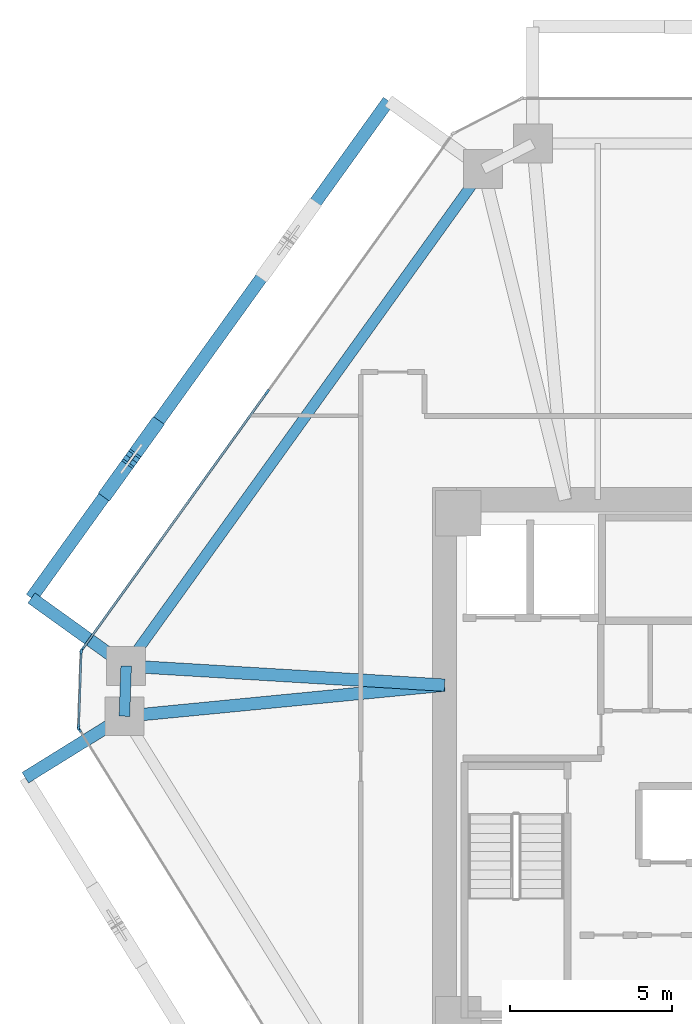
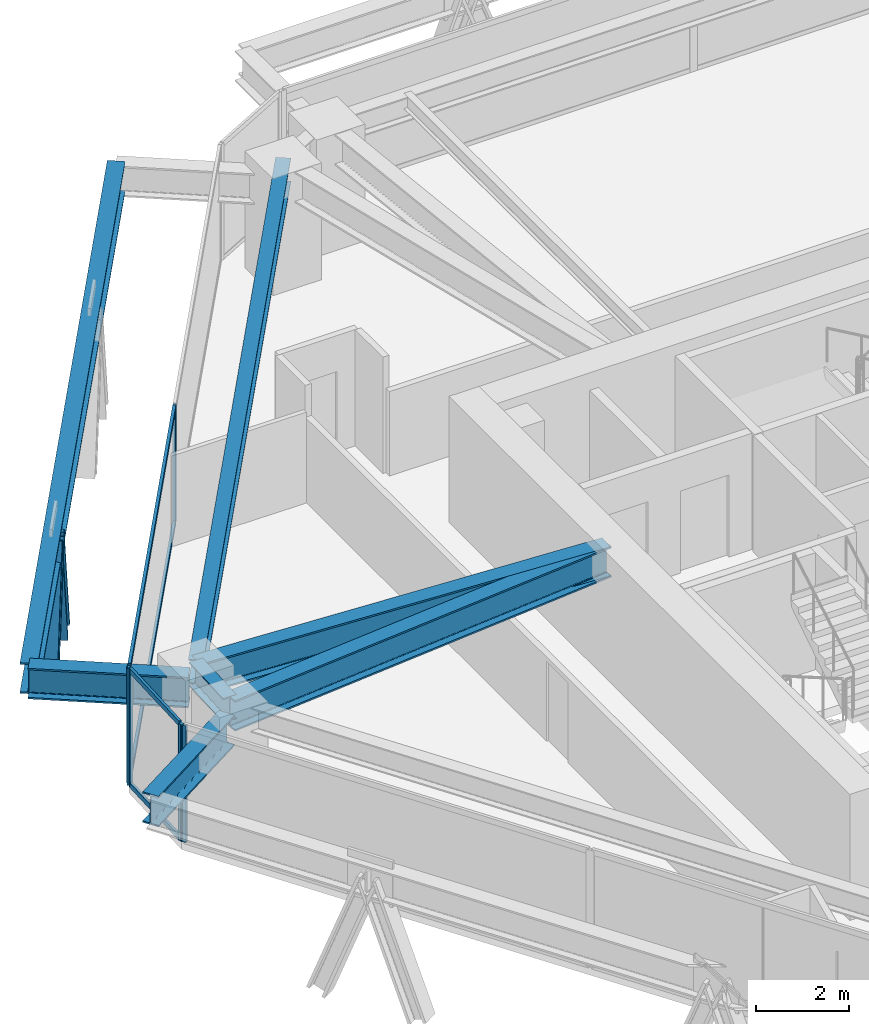
# One storey, part 4 of 15: 11 members, 7 beams, 3 elements without a shape of their own.
"""IFC4 building model written with IfcOpenShell, lengths in metres."""

from ifc_helpers import new_model, si_unit, direction, frame, origin, origin_2d, place, context, subcontext, project, spatial, rectangle, i_section, extrude, source, transform, mapped, material, layer, layer_set, material_profile, profile_set, type_object, type_shapes, element, aggregate, save


model = new_model("IFC4")

# Units and contexts
model_context = context("Model", 3, precision=1e-05, world=origin(), true_north=direction((0.0, 1.0)))
body_context = subcontext(model_context, "Body", "Model", "MODEL_VIEW")
ifc_project = project(units=[si_unit("LENGTHUNIT", "METRE"), si_unit("AREAUNIT", "SQUARE_METRE"), si_unit("VOLUMEUNIT", "CUBIC_METRE"), si_unit("PLANEANGLEUNIT", "RADIAN"), si_unit("MASSUNIT", "GRAM", prefix="KILO")], contexts=[model_context])

# Site, building, storey
site_placement = place(None, origin())
site = spatial("IfcSite", under=ifc_project, at=site_placement, CompositionType="ELEMENT")
building_placement = place(site_placement, origin())
building = spatial("IfcBuilding", under=site, at=building_placement, Name="Durnholm Broadcast Tower", CompositionType="ELEMENT")
storey_placement = place(building_placement, frame((0.0, 0.0, 97.5)))
storey = spatial("IfcBuildingStorey", under=building, at=storey_placement, Name="L25", CompositionType="ELEMENT", Elevation=97.5)

# Beams
ifc_material_1 = material(Name="Steel ASTM A992 Grade 50", Category="steel")
ifc_material_profile_1 = material_profile(ifc_material_1, i_section(OverallWidth=0.385009765625, OverallDepth=0.802978515625, WebThickness=0.023681640625, FlangeThickness=0.0419921875, FilletRadius=0.032958984375, at=origin_2d()), Name="W30X261")
ifc_profile_set_1 = profile_set([ifc_material_profile_1], Name="Steel ASTM A992 Grade 50")
beam_type_1 = type_object("IfcBeamType", Name="BM-EXO-TIE", PredefinedType="USERDEFINED", material=ifc_profile_set_1)
shared_shape_1 = source(origin(), body_context, "Body", "SweptSolid", [
    extrude(i_section(OverallWidth=0.385009765625, OverallDepth=0.802978515625, WebThickness=0.023681640625, FlangeThickness=0.0419921875, FilletRadius=0.032958984375, at=origin_2d()), origin(), (0.0, 0.0, 1.0), 3.4560546875),
])
for number, where, z_axis, x_axis, name in (
    (1, (-20.1669921875, 3.175048828125, 2.30859375), (-0.812164951739, 0.583427880005, 0.0), (-0.583427880005, -0.812164951739, 0.0), "L25 exoskeleton stand-off tie bracket F5.2"),
    (2, (-20.22509765625, 1.465576171875, 2.30859375), (-0.849795112316, -0.527113144481, 0.0), (0.527113144481, -0.849795112316, 0.0), "L25 exoskeleton stand-off tie bracket F6.1"),
):
    element("IfcBeam", number, at=place(storey_placement, frame(where, z_axis=z_axis, x_axis=x_axis)), inside=storey, type_object=beam_type_1, Name=name, ObjectType="GIRDER", PredefinedType="USERDEFINED", context=body_context, shape_type="MappedRepresentation", body=[
        mapped(shared_shape_1, transform((0.0, 0.0, 0.0), x_axis=(1.0, 0.0, 0.0), y_axis=(0.0, 1.0, 0.0), z_axis=(0.0, 0.0, 1.0), scale=1.0)),
    ])
ifc_material_profile_2 = material_profile(ifc_material_1, i_section(OverallWidth=0.3291015625, OverallDepth=0.635009765625, WebThickness=0.017822265625, FlangeThickness=0.031005859375, FilletRadius=0.02783203125, at=origin_2d()), Name="W24X162")
ifc_profile_set_2 = profile_set([ifc_material_profile_2], Name="Steel ASTM A992 Grade 50")
beam_type_2 = type_object("IfcBeamType", Name="STL-SP-W24X162", PredefinedType="SPANDREL", material=ifc_profile_set_2)
shared_shape_2 = source(origin(), body_context, "Body", "SweptSolid", [
    extrude(i_section(OverallWidth=0.3291015625, OverallDepth=0.635009765625, WebThickness=0.017822265625, FlangeThickness=0.031005859375, FilletRadius=0.02783203125, at=origin_2d()), origin(), (0.0, 0.0, 1.0), 1.550537109375),
])
beam_1_placement = place(storey_placement, frame((-20.102783203125, 1.54150390625, 2.7275390625), z_axis=(0.034012135923, 0.999421419928, 0.0), x_axis=(-0.999421419928, 0.034012135923, 0.0)))
element("IfcBeam", 3, at=beam_1_placement, inside=storey, type_object=beam_type_2, Name="L25 perimeter spandrel girder 02", PredefinedType="SPANDREL", context=body_context, shape_type="MappedRepresentation", body=[
    mapped(shared_shape_2, transform((0.0, 0.0, 0.0), x_axis=(1.0, 0.0, 0.0), y_axis=(0.0, 1.0, 0.0), z_axis=(0.0, 0.0, 1.0), scale=1.0)),
])
shared_shape_3 = source(origin(), body_context, "Body", "SweptSolid", [
    extrude(i_section(OverallWidth=0.3291015625, OverallDepth=0.635009765625, WebThickness=0.017822265625, FlangeThickness=0.031005859375, FilletRadius=0.02783203125, at=origin_2d()), origin(), (0.0, 0.0, 1.0), 18.884521484375),
])
type_shapes(beam_type_2, [shared_shape_2, shared_shape_3])
beam_2_placement = place(storey_placement, frame((-20.050048828125, 3.091064453125, 2.7275390625), z_axis=(0.583443434414, 0.812153777827, 0.0), x_axis=(-0.812153777827, 0.583443434414, 0.0)))
element("IfcBeam", 4, at=beam_2_placement, inside=storey, type_object=beam_type_2, Name="L25 perimeter spandrel girder 03", PredefinedType="SPANDREL", context=body_context, shape_type="MappedRepresentation", body=[
    mapped(shared_shape_3, transform((0.0, 0.0, 0.0), x_axis=(1.0, 0.0, 0.0), y_axis=(0.0, 1.0, 0.0), z_axis=(0.0, 0.0, 1.0), scale=1.0)),
])
ifc_material_profile_3 = material_profile(ifc_material_1, i_section(OverallWidth=0.385009765625, OverallDepth=0.802978515625, WebThickness=0.023681640625, FlangeThickness=0.0419921875, FilletRadius=0.032958984375, at=origin_2d()), Name="W30X261")
ifc_profile_set_3 = profile_set([ifc_material_profile_3], Name="Steel ASTM A992 Grade 50")
beam_type_3 = type_object("IfcBeamType", Name="STL-GR-W30X261", PredefinedType="USERDEFINED", material=ifc_profile_set_3)
shared_shape_4 = source(origin(), body_context, "Body", "SweptSolid", [
    extrude(i_section(OverallWidth=0.385009765625, OverallDepth=0.802978515625, WebThickness=0.023681640625, FlangeThickness=0.0419921875, FilletRadius=0.032958984375, at=origin_2d()), origin(), (0.0, 0.0, 1.0), 9.924072265625),
])
beam_3_placement = place(storey_placement, frame((-10.22509765625, 2.5, 2.6435546875), z_axis=(-0.995324947968, -0.096582855378, 0.0), x_axis=(0.096582855378, -0.995324947968, 0.0)))
element("IfcBeam", 5, at=beam_3_placement, inside=storey, type_object=beam_type_3, Name="L25 radial primary floor girder 02", ObjectType="GIRDER", PredefinedType="USERDEFINED", context=body_context, shape_type="MappedRepresentation", body=[
    mapped(shared_shape_4, transform((0.0, 0.0, 0.0), x_axis=(1.0, 0.0, 0.0), y_axis=(0.0, 1.0, 0.0), z_axis=(0.0, 0.0, 1.0), scale=1.0)),
])
shared_shape_5 = source(origin(), body_context, "Body", "SweptSolid", [
    extrude(i_section(OverallWidth=0.385009765625, OverallDepth=0.802978515625, WebThickness=0.023681640625, FlangeThickness=0.0419921875, FilletRadius=0.032958984375, at=origin_2d()), origin(), (0.0, 0.0, 1.0), 9.8427734375),
])
type_shapes(beam_type_3, [shared_shape_4, shared_shape_5])
beam_4_placement = place(storey_placement, frame((-10.22509765625, 2.5, 2.6435546875), z_axis=(-0.998195312551, 0.0600509617, 0.0), x_axis=(-0.0600509617, -0.998195312551, 0.0)))
element("IfcBeam", 6, at=beam_4_placement, inside=storey, type_object=beam_type_3, Name="L25 radial primary floor girder 03", ObjectType="GIRDER", PredefinedType="USERDEFINED", context=body_context, shape_type="MappedRepresentation", body=[
    mapped(shared_shape_5, transform((0.0, 0.0, 0.0), x_axis=(1.0, 0.0, 0.0), y_axis=(0.0, 1.0, 0.0), z_axis=(0.0, 0.0, 1.0), scale=1.0)),
])
shared_shape_6 = source(origin(), body_context, "Body", "SweptSolid", [
    extrude(i_section(OverallWidth=0.385009765625, OverallDepth=0.802978515625, WebThickness=0.023681640625, FlangeThickness=0.0419921875, FilletRadius=0.032958984375, at=origin_2d()), origin(), (0.0, 0.0, 1.0), 18.884765625),
])
type_shapes(beam_type_1, [shared_shape_1, shared_shape_6])
beam_5_placement = place(storey_placement, frame((-11.955810546875, 20.52880859375, 2.30859375), z_axis=(-0.583437308554, -0.812158178551, 0.0), x_axis=(0.812158178551, -0.583437308554, 0.0)))
element("IfcBeam", 7, at=beam_5_placement, inside=storey, type_object=beam_type_1, Name="L25 exoskeleton collector spandrel F5", PredefinedType="SPANDREL", context=body_context, shape_type="MappedRepresentation", body=[
    mapped(shared_shape_6, transform((0.0, 0.0, 0.0), x_axis=(1.0, 0.0, 0.0), y_axis=(0.0, 1.0, 0.0), z_axis=(0.0, 0.0, 1.0), scale=1.0)),
])

# Members
ifc_material_2 = material(Name="Steel ASTM A913 Grade 65", Category="steel")
ifc_material_profile_4 = material_profile(ifc_material_2, i_section(OverallWidth=0.424072265625, OverallDepth=0.47412109375, WebThickness=0.047607421875, FlangeThickness=0.0771484375, FilletRadius=0.030517578125, at=origin_2d()), Name="W14X426")
ifc_profile_set_4 = profile_set([ifc_material_profile_4], Name="Steel ASTM A913 Grade 65")
member_type_1 = type_object("IfcMemberType", Name="STL-DG-W14X426", PredefinedType="BRACE", material=ifc_profile_set_4)
shared_shape_7 = source(origin(), body_context, "Body", "SweptSolid", [
    extrude(i_section(OverallWidth=0.424072265625, OverallDepth=0.47412109375, WebThickness=0.047607421875, FlangeThickness=0.0771484375, FilletRadius=0.030517578125, at=origin_2d()), origin(), (0.0, 0.0, 1.0), 3.523193359375),
])
type_shapes(member_type_1, [shared_shape_7])
for number, where, z_axis, x_axis, name in (
    (8, (-19.1689453125, 10.488037109375, -0.991455078125), (-0.204350195342, -0.284454917557, 0.936657033039), (0.812153063014, -0.583444429434, 0.0), "L25 stand-off diagrid brace F5.D2.1"),
    (9, (-20.608642578125, 8.48388671875, -0.991455078125), (0.204287819296, 0.284395254542, 0.936688756248), (-0.812179469647, 0.583407669717, 0.0), "L25 stand-off diagrid brace F5.D2.2"),
):
    element("IfcMember", number, at=place(storey_placement, frame(where, z_axis=z_axis, x_axis=x_axis)), inside=storey, type_object=member_type_1, Name=name, PredefinedType="BRACE", context=body_context, shape_type="MappedRepresentation", body=[
        mapped(shared_shape_7, transform((0.0, 0.0, 0.0), x_axis=(1.0, 0.0, 0.0), y_axis=(0.0, 1.0, 0.0), z_axis=(0.0, 0.0, 1.0), scale=1.0)),
    ])

# Curtain wall, members
ifc_material_3 = material(Name="Aluminium and Solar Control IGU", Category="aluminium")
ifc_layer_1 = layer(ifc_material_3, 0.1650390625)
ifc_layer_set_1 = layer_set([ifc_layer_1], Name="Aluminium and Solar Control IGU")
curtain_wall_type_1 = type_object("IfcCurtainWallType", Name="CW-SYS-5", PredefinedType="NOTDEFINED", material=ifc_layer_set_1)
curtain_wall_1_placement = place(storey_placement, origin())
curtain_wall_1 = element("IfcCurtainWall", 10, at=curtain_wall_1_placement, inside=storey, type_object=curtain_wall_type_1, Name="L25 curtain wall CW-CORNER CW-L25-CRN-01", PredefinedType="NOTDEFINED")
ifc_material_4 = material(Name="Aluminium 6063-T6", Category="aluminium")
ifc_material_profile_5 = material_profile(ifc_material_4, rectangle(XDim=0.06494140625, YDim=0.1650390625, at=origin_2d()), Name="CWM65X165")
ifc_profile_set_5 = profile_set([ifc_material_profile_5], Name="Aluminium 6063-T6")
member_type_2 = type_object("IfcMemberType", Name="CW-SYS-5-MUL", PredefinedType="MULLION", material=ifc_profile_set_5)
shared_shape_8 = source(origin(), body_context, "Body", "SweptSolid", [
    extrude(rectangle(XDim=0.06494140625, YDim=0.1650390625, at=origin_2d()), origin(), (0.0, 0.0, 1.0), 3.06005859375),
])
type_shapes(member_type_2, [shared_shape_8])
member_1_placement = place(storey_placement, frame((-21.51513671875, 1.19677734375, 0.0), z_axis=(0.0, 0.0, 1.0), x_axis=(-0.999424655155, 0.033916937775, 0.0)))
member_1 = element("IfcMember", 11, at=member_1_placement, type_object=member_type_2, Name="CW-CORNER mullion 1", PredefinedType="MULLION", context=body_context, shape_type="MappedRepresentation", body=[
    mapped(shared_shape_8, transform((0.0, 0.0, 0.0), x_axis=(1.0, 0.0, 0.0), y_axis=(0.0, 1.0, 0.0), z_axis=(0.0, 0.0, 1.0), scale=1.0)),
])
member_2_placement = place(storey_placement, frame((-21.43603515625, 3.530517578125, 0.0), z_axis=(0.0, 0.0, 1.0), x_axis=(-0.999424655155, 0.033916937775, 0.0)))
member_2 = element("IfcMember", 12, at=member_2_placement, type_object=member_type_2, Name="CW-CORNER mullion 2", PredefinedType="MULLION", context=body_context, shape_type="MappedRepresentation", body=[
    mapped(shared_shape_8, transform((0.0, 0.0, 0.0), x_axis=(1.0, 0.0, 0.0), y_axis=(0.0, 1.0, 0.0), z_axis=(0.0, 0.0, 1.0), scale=1.0)),
])

ifc_layer_2 = layer(ifc_material_3, 0.18994140625)
ifc_layer_set_2 = layer_set([ifc_layer_2], Name="Aluminium and Solar Control IGU")
curtain_wall_type_2 = type_object("IfcCurtainWallType", Name="CW-SYS-3", PredefinedType="NOTDEFINED", material=ifc_layer_set_2)
curtain_wall_2_placement = place(storey_placement, origin())
curtain_wall_2 = element("IfcCurtainWall", 13, at=curtain_wall_2_placement, inside=storey, type_object=curtain_wall_type_2, Name="L25 curtain wall CW-Z12-VIS CW-L25-F02", PredefinedType="NOTDEFINED")
ifc_material_profile_6 = material_profile(ifc_material_4, rectangle(XDim=0.070068359375, YDim=0.18994140625, at=origin_2d()), Name="CWM70X190")
ifc_profile_set_6 = profile_set([ifc_material_profile_6], Name="Aluminium 6063-T6")
member_type_3 = type_object("IfcMemberType", Name="CW-SYS-3-MUL", PredefinedType="MULLION", material=ifc_profile_set_6)
shared_shape_9 = source(origin(), body_context, "Body", "SweptSolid", [
    extrude(rectangle(XDim=0.070068359375, YDim=0.18994140625, at=origin_2d()), origin(), (0.0, 0.0, 1.0), 3.06005859375),
])
type_shapes(member_type_3, [shared_shape_9])
member_3_placement = place(storey_placement, frame((-21.41455078125, 3.59130859375, 0.0), z_axis=(0.0, 0.0, 1.0), x_axis=(-0.812152312759, 0.583445473786, 0.0)))
member_3 = element("IfcMember", 14, at=member_3_placement, type_object=member_type_3, Name="CW-Z12-VIS mullion 1", PredefinedType="MULLION", context=body_context, shape_type="MappedRepresentation", body=[
    mapped(shared_shape_9, transform((0.0, 0.0, 0.0), x_axis=(1.0, 0.0, 0.0), y_axis=(0.0, 1.0, 0.0), z_axis=(0.0, 0.0, 1.0), scale=1.0)),
])
member_4_placement = place(storey_placement, frame((-15.703369140625, 11.541259765625, 0.0), z_axis=(0.0, 0.0, 1.0), x_axis=(-0.812152312759, 0.583445473786, 0.0)))
member_4 = element("IfcMember", 15, at=member_4_placement, type_object=member_type_3, Name="CW-Z12-VIS mullion 2", PredefinedType="MULLION", context=body_context, shape_type="MappedRepresentation", body=[
    mapped(shared_shape_9, transform((0.0, 0.0, 0.0), x_axis=(1.0, 0.0, 0.0), y_axis=(0.0, 1.0, 0.0), z_axis=(0.0, 0.0, 1.0), scale=1.0)),
])

# Curtain wall, member
curtain_wall_3_placement = place(storey_placement, origin())
curtain_wall_3 = element("IfcCurtainWall", 16, at=curtain_wall_3_placement, inside=storey, type_object=curtain_wall_type_2, Name="L25 curtain wall CW-Z12-VIS CW-L25-F12", PredefinedType="NOTDEFINED")
member_5_placement = place(storey_placement, frame((-21.497802734375, 1.134765625, 0.0), z_axis=(0.0, 0.0, 1.0), x_axis=(-0.849799925229, -0.527105385176, 0.0)))
member_5 = element("IfcMember", 17, at=member_5_placement, type_object=member_type_3, Name="CW-Z12-VIS mullion 3", PredefinedType="MULLION", context=body_context, shape_type="MappedRepresentation", body=[
    mapped(shared_shape_9, transform((0.0, 0.0, 0.0), x_axis=(1.0, 0.0, 0.0), y_axis=(0.0, 1.0, 0.0), z_axis=(0.0, 0.0, 1.0), scale=1.0)),
])
aggregate(curtain_wall_3, [member_5])

# Member
ifc_material_profile_7 = material_profile(ifc_material_4, rectangle(XDim=0.06494140625, YDim=0.1298828125, at=origin_2d()), Name="CWT65X130")
ifc_profile_set_7 = profile_set([ifc_material_profile_7], Name="Aluminium 6063-T6")
member_type_4 = type_object("IfcMemberType", Name="CW-SYS-5-TRN", PredefinedType="USERDEFINED", material=ifc_profile_set_7)
shared_shape_10 = source(origin(), body_context, "Body", "SweptSolid", [
    extrude(rectangle(XDim=0.06494140625, YDim=0.1298828125, at=origin_2d()), origin(), (0.0, 0.0, 1.0), 2.27001953125),
])
type_shapes(member_type_4, [shared_shape_10])
member_6_placement = place(storey_placement, frame((-21.51416015625, 1.229248046875, 0.032470703125), z_axis=(0.03398444704, 0.999422361847, 0.0), x_axis=(-0.999422361847, 0.03398444704, 0.0)))
member_6 = element("IfcMember", 18, at=member_6_placement, type_object=member_type_4, Name="CW-CORNER transom 1.1", ObjectType="TRANSOM", PredefinedType="USERDEFINED", context=body_context, shape_type="MappedRepresentation", body=[
    mapped(shared_shape_10, transform((0.0, 0.0, 0.0), x_axis=(1.0, 0.0, 0.0), y_axis=(0.0, 1.0, 0.0), z_axis=(0.0, 0.0, 1.0), scale=1.0)),
])

member_7_placement = place(storey_placement, frame((-21.51416015625, 1.229248046875, 3.027587890625), z_axis=(0.03398444704, 0.999422361847, 0.0), x_axis=(-0.999422361847, 0.03398444704, 0.0)))
member_7 = element("IfcMember", 19, at=member_7_placement, type_object=member_type_4, Name="CW-CORNER transom 1.2", ObjectType="TRANSOM", PredefinedType="USERDEFINED", context=body_context, shape_type="MappedRepresentation", body=[
    mapped(shared_shape_10, transform((0.0, 0.0, 0.0), x_axis=(1.0, 0.0, 0.0), y_axis=(0.0, 1.0, 0.0), z_axis=(0.0, 0.0, 1.0), scale=1.0)),
])

aggregate(curtain_wall_1, [member_1, member_2, member_6, member_7])

ifc_material_profile_8 = material_profile(ifc_material_4, rectangle(XDim=0.070068359375, YDim=0.14990234375, at=origin_2d()), Name="CWT70X150")
ifc_profile_set_8 = profile_set([ifc_material_profile_8], Name="Aluminium 6063-T6")
member_type_5 = type_object("IfcMemberType", Name="CW-SYS-3-TRN", PredefinedType="USERDEFINED", material=ifc_profile_set_8)
shared_shape_11 = source(origin(), body_context, "Body", "SweptSolid", [
    extrude(rectangle(XDim=0.070068359375, YDim=0.14990234375, at=origin_2d()), origin(), (0.0, 0.0, 1.0), 9.71875),
])
type_shapes(member_type_5, [shared_shape_11])
member_8_placement = place(storey_placement, frame((-21.39404296875, 3.619873046875, 0.034912109375), z_axis=(0.583450726174, 0.812148539448, 0.0), x_axis=(-0.812148539448, 0.583450726174, 0.0)))
member_8 = element("IfcMember", 20, at=member_8_placement, type_object=member_type_5, Name="CW-Z12-VIS transom 1.1", ObjectType="TRANSOM", PredefinedType="USERDEFINED", context=body_context, shape_type="MappedRepresentation", body=[
    mapped(shared_shape_11, transform((0.0, 0.0, 0.0), x_axis=(1.0, 0.0, 0.0), y_axis=(0.0, 1.0, 0.0), z_axis=(0.0, 0.0, 1.0), scale=1.0)),
])

member_9_placement = place(storey_placement, frame((-21.39404296875, 3.619873046875, 3.02490234375), z_axis=(0.583450726174, 0.812148539448, 0.0), x_axis=(-0.812148539448, 0.583450726174, 0.0)))
member_9 = element("IfcMember", 21, at=member_9_placement, type_object=member_type_5, Name="CW-Z12-VIS transom 1.2", ObjectType="TRANSOM", PredefinedType="USERDEFINED", context=body_context, shape_type="MappedRepresentation", body=[
    mapped(shared_shape_11, transform((0.0, 0.0, 0.0), x_axis=(1.0, 0.0, 0.0), y_axis=(0.0, 1.0, 0.0), z_axis=(0.0, 0.0, 1.0), scale=1.0)),
])

aggregate(curtain_wall_2, [member_3, member_4, member_8, member_9])

save(model, "model.ifc")
